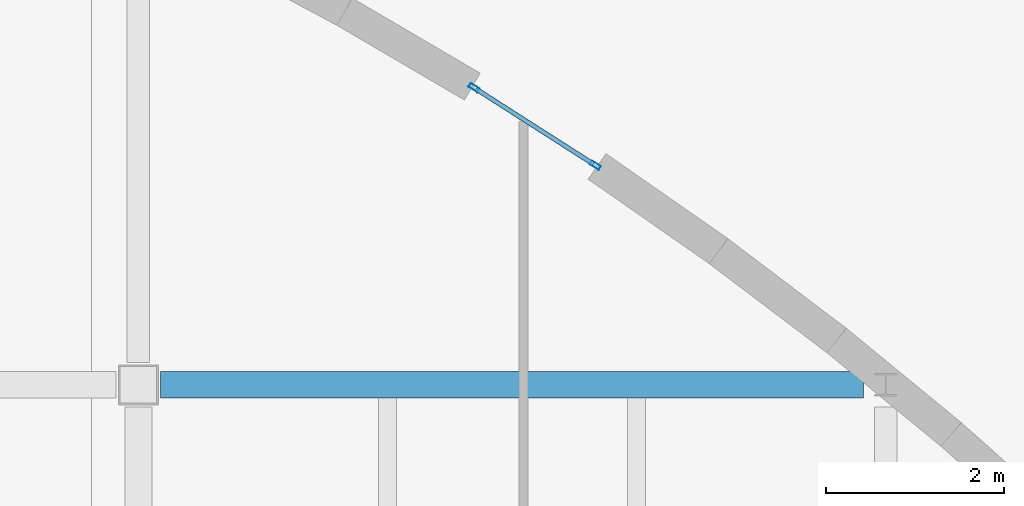
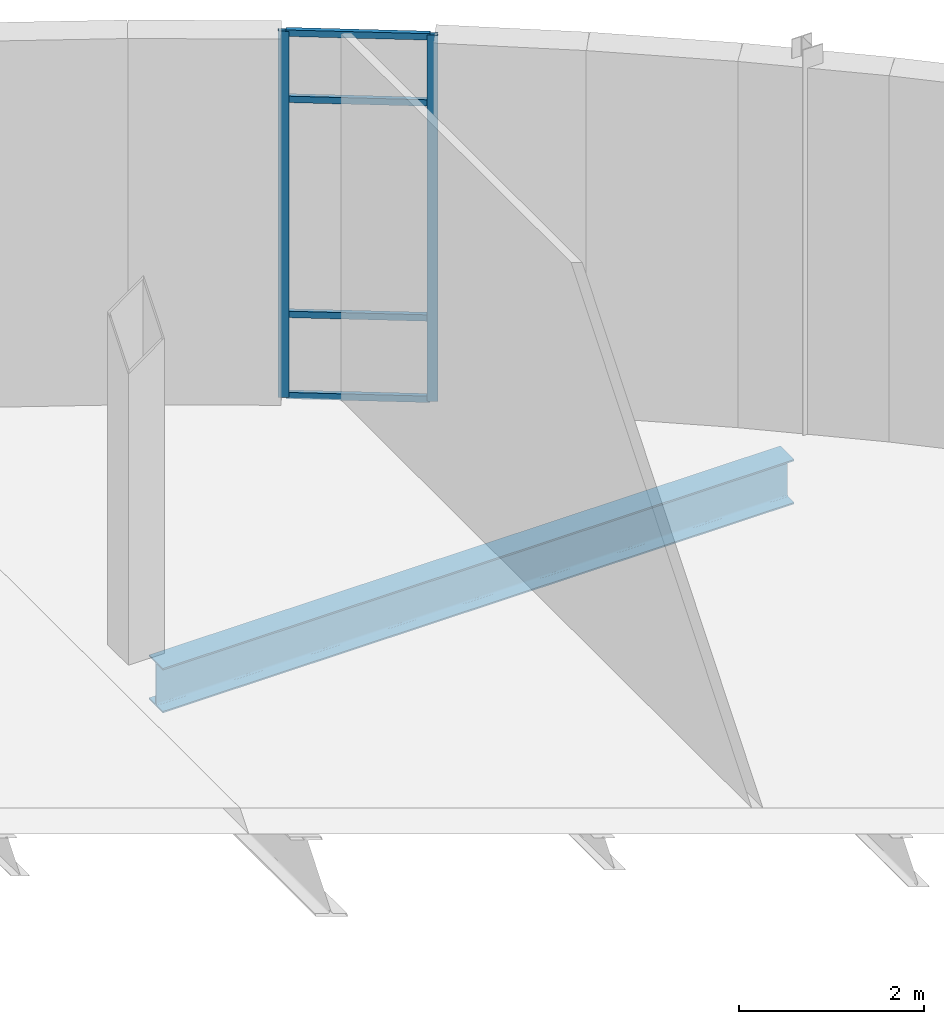
# One storey, part 57 of 91: 6 members, 1 beam, 1 element without a shape of its own.
"""IFC4 building model written with IfcOpenShell, lengths in metres."""

from ifc_helpers import new_model, si_unit, direction, frame, origin, origin_2d, place, context, subcontext, project, spatial, hollow_rectangle, i_section, extrude, material, layer, layer_set, material_profile, profile_set, type_object, element, aggregate, save


model = new_model("IFC4")

# Units and contexts
model_context = context("Model", 3, precision=1e-05, world=origin(), true_north=direction((0.0, 1.0)))
body_context = subcontext(model_context, "Body", "Model", "MODEL_VIEW")
ifc_project = project(units=[si_unit("LENGTHUNIT", "METRE"), si_unit("AREAUNIT", "SQUARE_METRE"), si_unit("VOLUMEUNIT", "CUBIC_METRE"), si_unit("PLANEANGLEUNIT", "RADIAN"), si_unit("MASSUNIT", "GRAM", prefix="KILO"), si_unit("THERMODYNAMICTEMPERATUREUNIT", "KELVIN")], contexts=[model_context])

# Site, building, storey
site_placement = place(None, origin())
site = spatial("IfcSite", under=ifc_project, at=site_placement, CompositionType="ELEMENT")
building_placement = place(site_placement, origin())
building = spatial("IfcBuilding", under=site, at=building_placement, Name="Lustrewick Department Store", CompositionType="ELEMENT")
storey_placement = place(building_placement, frame((0.0, 0.0, 21.60009765625)))
storey = spatial("IfcBuildingStorey", under=building, at=storey_placement, Name="L05", CompositionType="ELEMENT", Elevation=21.60009765625)

# Curtain wall, members
ifc_material_1 = material(Name="Thermally broken aluminium 6063-T5", Category="aluminium")
ifc_layer = layer(ifc_material_1, 0.1201171875, Name="Thermally broken aluminium 6063-T5")
ifc_layer_set = layer_set([ifc_layer], Name="Thermally broken aluminium 6063-T5")
curtain_wall_type = type_object("IfcCurtainWallType", Name="CW08", PredefinedType="NOTDEFINED", material=ifc_layer_set)
curtain_wall_placement = place(storey_placement, origin())
curtain_wall = element("IfcCurtainWall", 1, at=curtain_wall_placement, inside=storey, type_object=curtain_wall_type, Name="L05 V4 Curtain Wall CW08", PredefinedType="NOTDEFINED")
ifc_material_profile_1 = material_profile(ifc_material_1, hollow_rectangle(XDim=0.050048828125, YDim=0.1201171875, WallThickness=0.0029296875, at=origin_2d()), Name="ALU-M 50x120x3")
ifc_profile_set_1 = profile_set([ifc_material_profile_1], Name="Thermally broken aluminium 6063-T5")
member_type_1 = type_object("IfcMemberType", Name="CW08-M1", PredefinedType="MULLION", material=ifc_profile_set_1)
member_1_placement = place(storey_placement, frame((139.53515625, 94.86767578125, 0.0), z_axis=(0.0, 0.0, 1.0), x_axis=(-0.539108234293, -0.842236493936, 0.0)))
member_1 = element("IfcMember", 2, at=member_1_placement, type_object=member_type_1, Name="CW08 mullion 1", PredefinedType="MULLION", context=body_context, shape_type="SweptSolid", body=[
    extrude(hollow_rectangle(XDim=0.050048828125, YDim=0.1201171875, WallThickness=0.0029296875, at=origin_2d()), origin(), (0.0, 0.0, 1.0), 4.844970703125),
])
member_2_placement = place(storey_placement, frame((138.175048828125, 95.738525390625, 0.0), z_axis=(0.0, 0.0, 1.0), x_axis=(-0.539108234293, -0.842236493936, 0.0)))
member_2 = element("IfcMember", 3, at=member_2_placement, type_object=member_type_1, Name="CW08 mullion 2", PredefinedType="MULLION", context=body_context, shape_type="SweptSolid", body=[
    extrude(hollow_rectangle(XDim=0.050048828125, YDim=0.1201171875, WallThickness=0.0029296875, at=origin_2d()), origin(), (0.0, 0.0, 1.0), 4.844970703125),
])
ifc_material_profile_2 = material_profile(ifc_material_1, hollow_rectangle(XDim=0.050048828125, YDim=0.0849609375, WallThickness=0.0029296875, at=origin_2d()), Name="ALU-T 50x85x3")
ifc_profile_set_2 = profile_set([ifc_material_profile_2], Name="Thermally broken aluminium 6063-T5")
member_type_2 = type_object("IfcMemberType", Name="CW08-T1", PredefinedType="USERDEFINED", material=ifc_profile_set_2)
member_3_placement = place(storey_placement, frame((139.51416015625, 94.88134765625, 0.02490234375), z_axis=(-0.842296899618, 0.539013852228, 0.0), x_axis=(-0.539013852228, -0.842296899618, 0.0)))
member_3 = element("IfcMember", 4, at=member_3_placement, type_object=member_type_2, Name="CW08 transom 1.1", ObjectType="TRANSOM", PredefinedType="USERDEFINED", context=body_context, shape_type="SweptSolid", body=[
    extrude(hollow_rectangle(XDim=0.050048828125, YDim=0.0849609375, WallThickness=0.0029296875, at=origin_2d()), origin(), (0.0, 0.0, 1.0), 1.56494140625),
])
member_4_placement = place(storey_placement, frame((139.51416015625, 94.88134765625, 1.099853515625), z_axis=(-0.842296899618, 0.539013852228, 0.0), x_axis=(-0.539013852228, -0.842296899618, 0.0)))
member_4 = element("IfcMember", 5, at=member_4_placement, type_object=member_type_2, Name="CW08 transom 1.2", ObjectType="TRANSOM", PredefinedType="USERDEFINED", context=body_context, shape_type="SweptSolid", body=[
    extrude(hollow_rectangle(XDim=0.050048828125, YDim=0.0849609375, WallThickness=0.0029296875, at=origin_2d()), origin(), (0.0, 0.0, 1.0), 1.56494140625),
])
member_5_placement = place(storey_placement, frame((139.51416015625, 94.88134765625, 3.94482421875), z_axis=(-0.842296899618, 0.539013852228, 0.0), x_axis=(-0.539013852228, -0.842296899618, 0.0)))
member_5 = element("IfcMember", 6, at=member_5_placement, type_object=member_type_2, Name="CW08 transom 1.3", ObjectType="TRANSOM", PredefinedType="USERDEFINED", context=body_context, shape_type="SweptSolid", body=[
    extrude(hollow_rectangle(XDim=0.050048828125, YDim=0.0849609375, WallThickness=0.0029296875, at=origin_2d()), origin(), (0.0, 0.0, 1.0), 1.56494140625),
])
member_6_placement = place(storey_placement, frame((139.51416015625, 94.88134765625, 4.81982421875), z_axis=(-0.842296899618, 0.539013852228, 0.0), x_axis=(-0.539013852228, -0.842296899618, 0.0)))
member_6 = element("IfcMember", 7, at=member_6_placement, type_object=member_type_2, Name="CW08 transom 1.4", ObjectType="TRANSOM", PredefinedType="USERDEFINED", context=body_context, shape_type="SweptSolid", body=[
    extrude(hollow_rectangle(XDim=0.050048828125, YDim=0.0849609375, WallThickness=0.0029296875, at=origin_2d()), origin(), (0.0, 0.0, 1.0), 1.56494140625),
])
aggregate(curtain_wall, [member_1, member_2, member_3, member_4, member_5, member_6])

# Beam
ifc_material_2 = material(Name="Structural steel Q355B", Category="steel")
ifc_material_profile_3 = material_profile(ifc_material_2, i_section(OverallWidth=0.300048828125, OverallDepth=0.587890625, WebThickness=0.011962890625, FlangeThickness=0.02001953125, FilletRadius=0.02392578125, at=origin_2d()), Name="HM 588x300x12x20")
ifc_profile_set_3 = profile_set([ifc_material_profile_3], Name="Structural steel Q355B")
beam_type = type_object("IfcBeamType", Name="G11", PredefinedType="BEAM", material=ifc_profile_set_3)
beam_placement = place(storey_placement, frame((134.64990234375, 92.39990234375, -0.549072265625), z_axis=(1.0, 0.0, 0.0), x_axis=(0.0, 1.0, 0.0)))
element("IfcBeam", 8, at=beam_placement, inside=storey, type_object=beam_type, Name="L05 V4 Girder G11", PredefinedType="BEAM", context=body_context, shape_type="SweptSolid", body=[
    extrude(i_section(OverallWidth=0.300048828125, OverallDepth=0.587890625, WebThickness=0.011962890625, FlangeThickness=0.02001953125, FilletRadius=0.02392578125, at=origin_2d()), origin(), (0.0, 0.0, 1.0), 7.900146484375),
])

save(model, "model.ifc")
